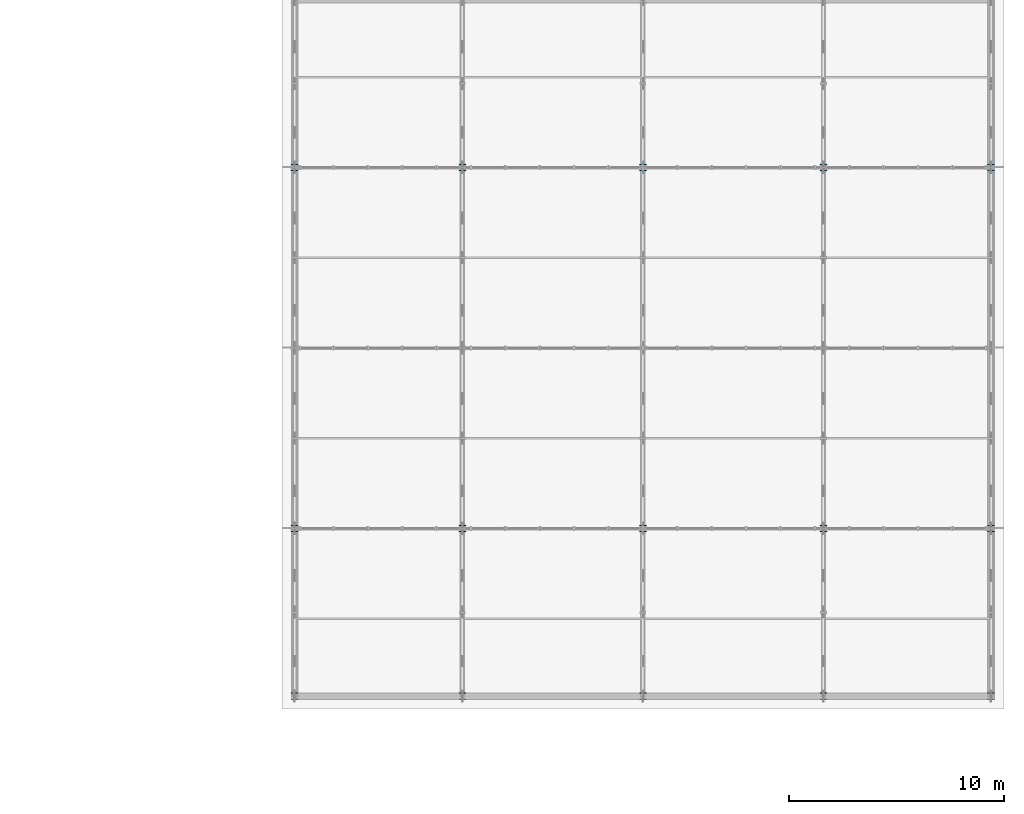
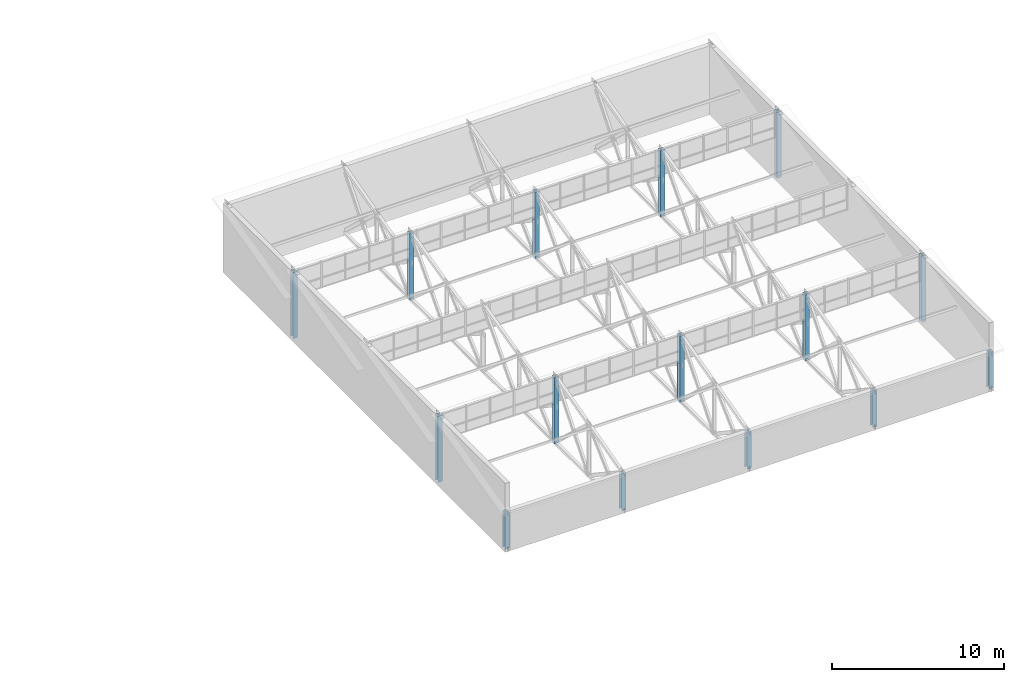
# One storey, part 14 of 123: 15 columns.
"""IFC4 building model written with IfcOpenShell, lengths in metres."""

from ifc_helpers import new_model, si_unit, direction, frame, origin, origin_2d, place, context, subcontext, project, spatial, i_section, extrude, material, material_profile, profile_set, type_object, element, save


model = new_model("IFC4")

# Units and contexts
model_context = context("Model", 3, precision=1e-05, world=origin(), true_north=direction((0.0, 1.0)))
body_context = subcontext(model_context, "Body", "Model", "MODEL_VIEW")
ifc_project = project(units=[si_unit("LENGTHUNIT", "METRE"), si_unit("AREAUNIT", "SQUARE_METRE"), si_unit("VOLUMEUNIT", "CUBIC_METRE"), si_unit("PLANEANGLEUNIT", "RADIAN"), si_unit("MASSUNIT", "GRAM", prefix="KILO")], contexts=[model_context])

# Site, building, storey
site_placement = place(None, origin())
site = spatial("IfcSite", under=ifc_project, at=site_placement, CompositionType="ELEMENT")
building_placement = place(site_placement, origin())
building = spatial("IfcBuilding", under=site, at=building_placement, Name="Zayran Congress Hotel", CompositionType="ELEMENT")
storey_placement = place(building_placement, frame((0.0, 0.0, 15.0)))
storey = spatial("IfcBuildingStorey", under=building, at=storey_placement, Name="L03", CompositionType="ELEMENT", Elevation=15.0)

# Columns
ifc_material = material(Name="Steel S355", Category="steel")
ifc_material_profile = material_profile(ifc_material, i_section(OverallWidth=0.300048828125, OverallDepth=0.300048828125, WebThickness=0.010986328125, FlangeThickness=0.01904296875, at=origin_2d()), Name="HEB 300")
ifc_profile_set = profile_set([ifc_material_profile], Name="Steel S355")
column_type = type_object("IfcColumnType", Name="TP-CL-08", PredefinedType="COLUMN", material=ifc_profile_set)
column_1_placement = place(storey_placement, frame((151.800048828125, 9.39990234375, 0.0), z_axis=(0.0, 0.0, 1.0), x_axis=(1.0, 0.0, 0.0)))
element("IfcColumn", 1, at=column_1_placement, inside=storey, type_object=column_type, Name="COL-V3-EAV-1458", PredefinedType="COLUMN", context=body_context, shape_type="SweptSolid", body=[
    extrude(i_section(OverallWidth=0.300048828125, OverallDepth=0.300048828125, WebThickness=0.010986328125, FlangeThickness=0.01904296875, at=origin_2d()), origin(), (0.0, 0.0, 1.0), 2.60009765625),
])
for number, where, z_axis, x_axis, name in (
    (2, (151.800048828125, 17.199951171875, 0.0), (0.0, 0.0, 1.0), (1.0, 0.0, 0.0), "COL-V3-EAV-1459"),
    (3, (151.800048828125, 34.0, 0.0), (0.0, 0.0, 1.0), (1.0, 0.0, 0.0), "COL-V3-EAV-1460"),
):
    element("IfcColumn", number, at=place(storey_placement, frame(where, z_axis=z_axis, x_axis=x_axis)), inside=storey, type_object=column_type, Name=name, PredefinedType="COLUMN", context=body_context, shape_type="SweptSolid", body=[
        extrude(i_section(OverallWidth=0.300048828125, OverallDepth=0.300048828125, WebThickness=0.010986328125, FlangeThickness=0.01904296875, at=origin_2d()), origin(), (0.0, 0.0, 1.0), 4.6943359375),
    ])
column_2_placement = place(storey_placement, frame((159.60009765625, 9.39990234375, 0.0), z_axis=(0.0, 0.0, 1.0), x_axis=(1.0, 0.0, 0.0)))
element("IfcColumn", 4, at=column_2_placement, inside=storey, type_object=column_type, Name="COL-V3-EAV-1462", PredefinedType="COLUMN", context=body_context, shape_type="SweptSolid", body=[
    extrude(i_section(OverallWidth=0.300048828125, OverallDepth=0.300048828125, WebThickness=0.010986328125, FlangeThickness=0.01904296875, at=origin_2d()), origin(), (0.0, 0.0, 1.0), 2.60009765625),
])
for number, where, z_axis, x_axis, name in (
    (5, (159.60009765625, 17.199951171875, 0.0), (0.0, 0.0, 1.0), (1.0, 0.0, 0.0), "COL-V3-EAV-1463"),
    (6, (159.60009765625, 34.0, 0.0), (0.0, 0.0, 1.0), (1.0, 0.0, 0.0), "COL-V3-EAV-1464"),
):
    element("IfcColumn", number, at=place(storey_placement, frame(where, z_axis=z_axis, x_axis=x_axis)), inside=storey, type_object=column_type, Name=name, PredefinedType="COLUMN", context=body_context, shape_type="SweptSolid", body=[
        extrude(i_section(OverallWidth=0.300048828125, OverallDepth=0.300048828125, WebThickness=0.010986328125, FlangeThickness=0.01904296875, at=origin_2d()), origin(), (0.0, 0.0, 1.0), 4.6943359375),
    ])
column_3_placement = place(storey_placement, frame((168.0, 9.39990234375, 0.0), z_axis=(0.0, 0.0, 1.0), x_axis=(1.0, 0.0, 0.0)))
element("IfcColumn", 7, at=column_3_placement, inside=storey, type_object=column_type, Name="COL-V3-EAV-1466", PredefinedType="COLUMN", context=body_context, shape_type="SweptSolid", body=[
    extrude(i_section(OverallWidth=0.300048828125, OverallDepth=0.300048828125, WebThickness=0.010986328125, FlangeThickness=0.01904296875, at=origin_2d()), origin(), (0.0, 0.0, 1.0), 2.60009765625),
])
for number, where, z_axis, x_axis, name in (
    (8, (168.0, 17.199951171875, 0.0), (0.0, 0.0, 1.0), (1.0, 0.0, 0.0), "COL-V3-EAV-1467"),
    (9, (168.0, 34.0, 0.0), (0.0, 0.0, 1.0), (1.0, 0.0, 0.0), "COL-V3-EAV-1468"),
):
    element("IfcColumn", number, at=place(storey_placement, frame(where, z_axis=z_axis, x_axis=x_axis)), inside=storey, type_object=column_type, Name=name, PredefinedType="COLUMN", context=body_context, shape_type="SweptSolid", body=[
        extrude(i_section(OverallWidth=0.300048828125, OverallDepth=0.300048828125, WebThickness=0.010986328125, FlangeThickness=0.01904296875, at=origin_2d()), origin(), (0.0, 0.0, 1.0), 4.6943359375),
    ])
column_4_placement = place(storey_placement, frame((176.39990234375, 9.39990234375, 0.0), z_axis=(0.0, 0.0, 1.0), x_axis=(1.0, 0.0, 0.0)))
element("IfcColumn", 10, at=column_4_placement, inside=storey, type_object=column_type, Name="COL-V3-EAV-1470", PredefinedType="COLUMN", context=body_context, shape_type="SweptSolid", body=[
    extrude(i_section(OverallWidth=0.300048828125, OverallDepth=0.300048828125, WebThickness=0.010986328125, FlangeThickness=0.01904296875, at=origin_2d()), origin(), (0.0, 0.0, 1.0), 2.60009765625),
])
for number, where, z_axis, x_axis, name in (
    (11, (176.39990234375, 17.199951171875, 0.0), (0.0, 0.0, 1.0), (1.0, 0.0, 0.0), "COL-V3-EAV-1471"),
    (12, (176.39990234375, 34.0, 0.0), (0.0, 0.0, 1.0), (1.0, 0.0, 0.0), "COL-V3-EAV-1472"),
):
    element("IfcColumn", number, at=place(storey_placement, frame(where, z_axis=z_axis, x_axis=x_axis)), inside=storey, type_object=column_type, Name=name, PredefinedType="COLUMN", context=body_context, shape_type="SweptSolid", body=[
        extrude(i_section(OverallWidth=0.300048828125, OverallDepth=0.300048828125, WebThickness=0.010986328125, FlangeThickness=0.01904296875, at=origin_2d()), origin(), (0.0, 0.0, 1.0), 4.6943359375),
    ])
column_5_placement = place(storey_placement, frame((184.199951171875, 9.39990234375, 0.0), z_axis=(0.0, 0.0, 1.0), x_axis=(1.0, 0.0, 0.0)))
element("IfcColumn", 13, at=column_5_placement, inside=storey, type_object=column_type, Name="COL-V3-EAV-1474", PredefinedType="COLUMN", context=body_context, shape_type="SweptSolid", body=[
    extrude(i_section(OverallWidth=0.300048828125, OverallDepth=0.300048828125, WebThickness=0.010986328125, FlangeThickness=0.01904296875, at=origin_2d()), origin(), (0.0, 0.0, 1.0), 2.60009765625),
])
for number, where, z_axis, x_axis, name in (
    (14, (184.199951171875, 17.199951171875, 0.0), (0.0, 0.0, 1.0), (1.0, 0.0, 0.0), "COL-V3-EAV-1475"),
    (15, (184.199951171875, 34.0, 0.0), (0.0, 0.0, 1.0), (1.0, 0.0, 0.0), "COL-V3-EAV-1476"),
):
    element("IfcColumn", number, at=place(storey_placement, frame(where, z_axis=z_axis, x_axis=x_axis)), inside=storey, type_object=column_type, Name=name, PredefinedType="COLUMN", context=body_context, shape_type="SweptSolid", body=[
        extrude(i_section(OverallWidth=0.300048828125, OverallDepth=0.300048828125, WebThickness=0.010986328125, FlangeThickness=0.01904296875, at=origin_2d()), origin(), (0.0, 0.0, 1.0), 4.6943359375),
    ])

save(model, "model.ifc")
